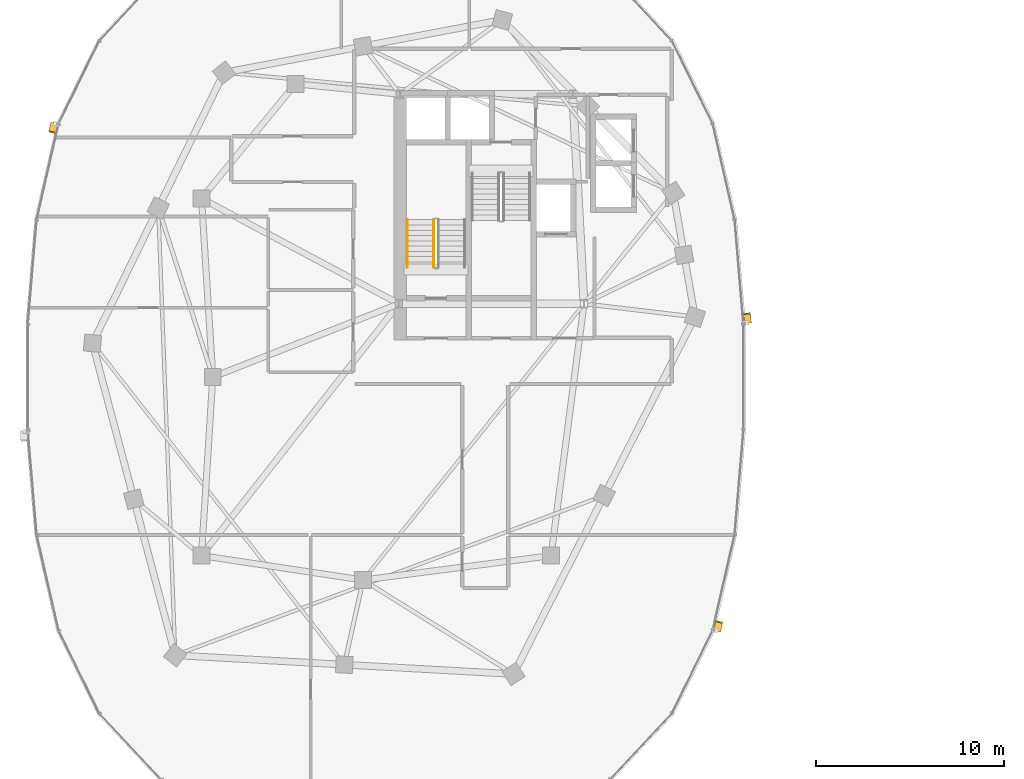
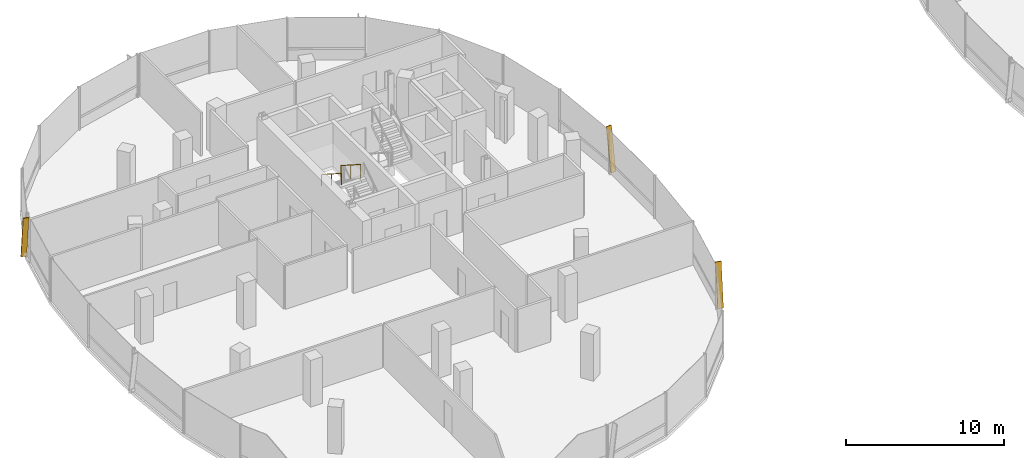
# One storey, part 22 of 25: 3 shading devices, 2 railings.
"""IFC4 building model written with IfcOpenShell, lengths in metres."""

from ifc_helpers import new_model, si_unit, direction, frame, origin, origin_2d, place, context, subcontext, project, spatial, rectangle, extrude, material, material_profile, profile_set, type_object, element, save


model = new_model("IFC4")

# Units and contexts
model_context = context("Model", 3, precision=1e-05, world=origin(), true_north=direction((0.0, 1.0)))
body_context = subcontext(model_context, "Body", "Model", "MODEL_VIEW")
ifc_project = project(units=[si_unit("LENGTHUNIT", "METRE"), si_unit("AREAUNIT", "SQUARE_METRE"), si_unit("VOLUMEUNIT", "CUBIC_METRE"), si_unit("PLANEANGLEUNIT", "RADIAN"), si_unit("MASSUNIT", "GRAM", prefix="KILO"), si_unit("THERMODYNAMICTEMPERATUREUNIT", "KELVIN"), si_unit("POWERUNIT", "WATT")], contexts=[model_context])

# Site, building, storey
site_placement = place(None, origin())
site = spatial("IfcSite", under=ifc_project, at=site_placement, CompositionType="ELEMENT")
building_placement = place(site_placement, origin())
building = spatial("IfcBuilding", under=site, at=building_placement, Name="Cundina Bronze Exchange", CompositionType="ELEMENT")
storey_placement = place(building_placement, frame((0.0, 0.0, 209.800048828125)))
storey = spatial("IfcBuildingStorey", under=building, at=storey_placement, Name="L55", CompositionType="ELEMENT", Elevation=209.800048828125)

# Railings
ifc_material_1 = material(Name="Steel ASTM A36 Painted", Category="steel")
railing_type_1 = type_object("IfcRailingType", Name="RLG-HND-900", PredefinedType="HANDRAIL", material=ifc_material_1)
railing_1_placement = place(storey_placement, frame((-30.85009765625, 8.3701171875, 1.97998046875)))
element("IfcRailing", 1, at=railing_1_placement, inside=storey, type_object=railing_type_1, Name="L55 ST-W1 stair handrail 2", PredefinedType="HANDRAIL", context=body_context, shape_type="SweptSolid", body=[
    extrude(rectangle(XDim=0.048095703125, YDim=0.048095703125, at=origin_2d()), frame((0.0, 0.0, 0.8759765625), z_axis=(0.0, -0.841199657755, 0.540724639528), x_axis=(1.0, 0.0, 0.0)), (0.0, 0.0, 1.0), 2.995849609375),
    extrude(rectangle(XDim=0.0419921875, YDim=0.0419921875, at=origin_2d()), origin(), (0.0, 0.0, 1.0), 0.851806640625),
    extrude(rectangle(XDim=0.0419921875, YDim=0.0419921875, at=origin_2d()), frame((0.0, -1.260009765625, 0.81005859375)), (0.0, 0.0, 1.0), 0.851806640625),
    extrude(rectangle(XDim=0.0419921875, YDim=0.0419921875, at=origin_2d()), frame((0.0, -2.52001953125, 1.619873046875)), (0.0, 0.0, 1.0), 0.851806640625),
])
railing_type_2 = type_object("IfcRailingType", Name="RLG-STG-1100", PredefinedType="GUARDRAIL", material=ifc_material_1)
railing_2_placement = place(storey_placement, frame((-29.449951171875, 8.3701171875, 1.97998046875)))
element("IfcRailing", 2, at=railing_2_placement, inside=storey, type_object=railing_type_2, Name="L55 ST-W1 stair guard 3", PredefinedType="GUARDRAIL", context=body_context, shape_type="SweptSolid", body=[
    extrude(rectangle(XDim=0.048095703125, YDim=0.048095703125, at=origin_2d()), frame((0.0, 0.0, 1.076171875), z_axis=(0.0, -0.841199657755, 0.540724639528), x_axis=(1.0, 0.0, 0.0)), (0.0, 0.0, 1.0), 2.995849609375),
    extrude(rectangle(XDim=0.0419921875, YDim=0.0419921875, at=origin_2d()), origin(), (0.0, 0.0, 1.0), 1.052001953125),
    extrude(rectangle(XDim=0.0419921875, YDim=0.0419921875, at=origin_2d()), frame((0.0, -1.260009765625, 0.81005859375)), (0.0, 0.0, 1.0), 1.052001953125),
    extrude(rectangle(XDim=0.0419921875, YDim=0.0419921875, at=origin_2d()), frame((0.0, -2.52001953125, 1.619873046875)), (0.0, 0.0, 1.0), 1.052001953125),
])

# Shading devices
ifc_material_2 = material(Name="Anodised Bronze Aluminium 6063-T6", Category="aluminium")
ifc_material_profile = material_profile(ifc_material_2, rectangle(XDim=0.070068359375, YDim=0.3798828125, at=origin_2d()), Name="FIN70X380", Category="aluminium")
ifc_profile_set = profile_set([ifc_material_profile], Name="Anodised Bronze Aluminium 6063-T6")
shading_device_type = type_object("IfcShadingDeviceType", Name="SHD-FIN-BRZ380", PredefinedType="USERDEFINED", material=ifc_profile_set)
for number, where, z_axis, x_axis, name in (
    (3, (-12.735595703125, 2.90283203125, 0.02001953125), (-0.012006555776, 0.143419772964, 0.98958911238), (0.082555834947, -0.986139516224, 0.143921466983), "L55 Diagonal Bronze Solar Fin 1"),
    (4, (-49.636962890625, 13.4931640625, 0.02001953125), (-0.032139238682, -0.140343782583, 0.989581068951), (0.220899412839, 0.964610875656, 0.14397676192), "L55 Diagonal Bronze Solar Fin 5"),
    (5, (-14.363037109375, -13.4931640625, 0.02001953125), (0.032139238682, 0.140343782583, 0.989581068951), (-0.220899412839, -0.964610875656, 0.14397676192), "L55 Diagonal Bronze Solar Fin 5"),
):
    element("IfcShadingDevice", number, at=place(storey_placement, frame(where, z_axis=z_axis, x_axis=x_axis)), inside=storey, type_object=shading_device_type, Name=name, ObjectType="FIN", PredefinedType="USERDEFINED", context=body_context, shape_type="SweptSolid", body=[
        extrude(rectangle(XDim=0.070068359375, YDim=0.3798828125, at=origin_2d()), origin(), (0.0, 0.0, 1.0), 3.334716796875),
    ])

save(model, "model.ifc")
